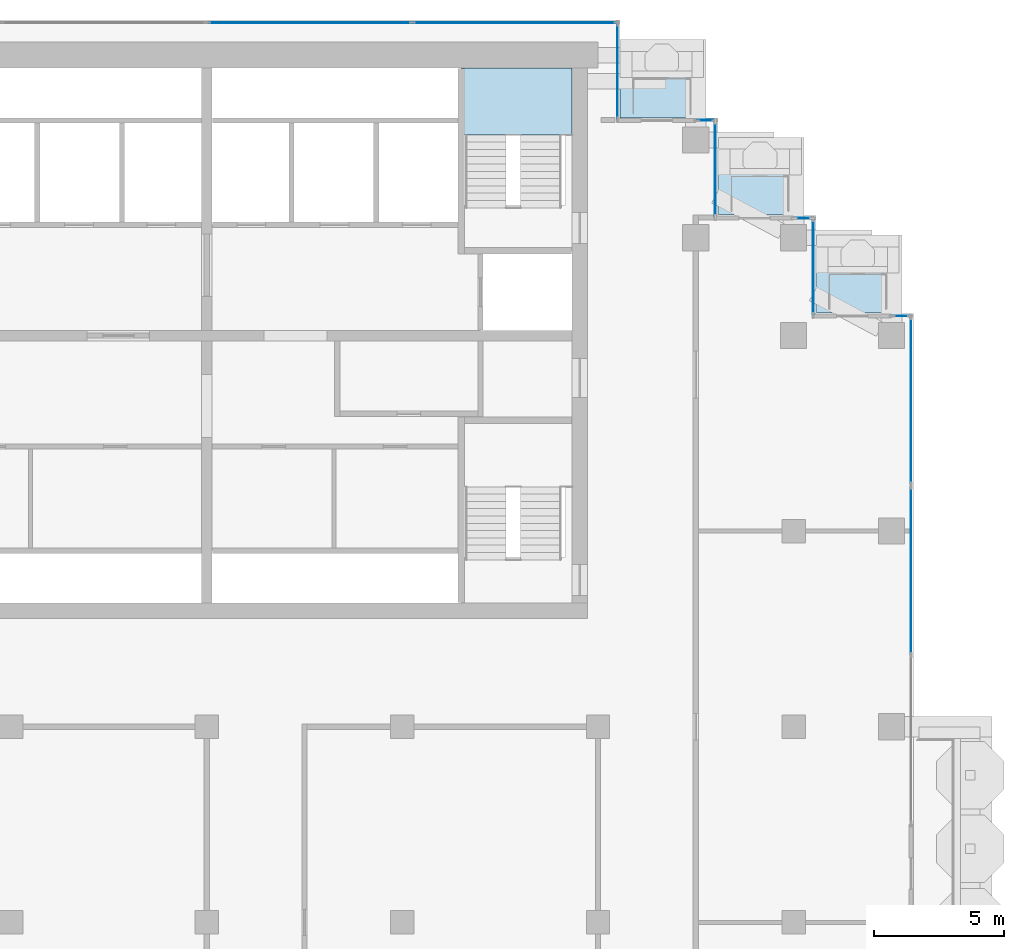
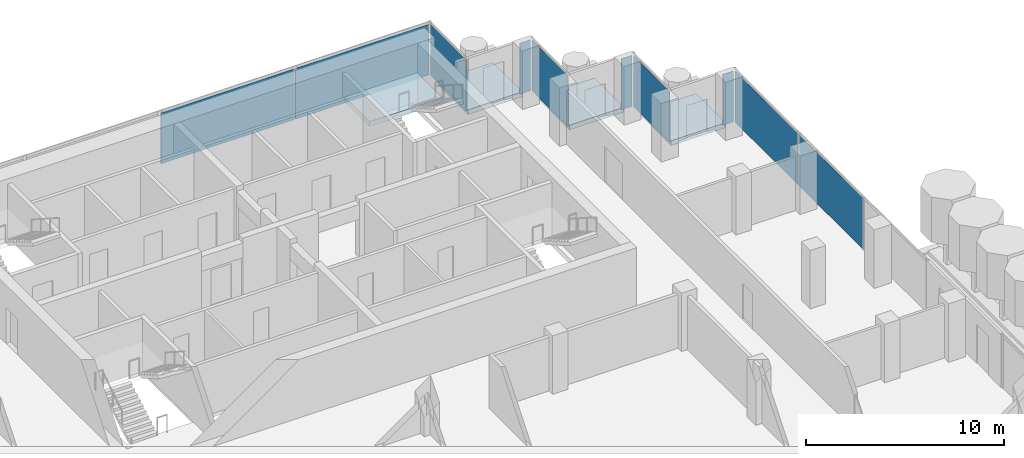
# One storey, part 10 of 17: 10 plates, 4 slabs, 10 elements without a shape of their own.
"""IFC4 building model written with IfcOpenShell, lengths in metres."""

from ifc_helpers import new_model, si_unit, direction, frame, origin, origin_2d, place, context, subcontext, project, spatial, polyline, rectangle, outline, extrude, material, layer, layer_set, type_object, element, aggregate, save


model = new_model("IFC4")

# Units and contexts
model_context = context("Model", 3, precision=1e-05, world=origin(), true_north=direction((0.0, 1.0)))
body_context = subcontext(model_context, "Body", "Model", "MODEL_VIEW")
ifc_project = project(units=[si_unit("LENGTHUNIT", "METRE"), si_unit("AREAUNIT", "SQUARE_METRE"), si_unit("VOLUMEUNIT", "CUBIC_METRE"), si_unit("PLANEANGLEUNIT", "RADIAN"), si_unit("MASSUNIT", "GRAM", prefix="KILO")], contexts=[model_context])

# Site, building, storey
site_placement = place(None, origin())
site = spatial("IfcSite", under=ifc_project, at=site_placement, CompositionType="ELEMENT")
building_placement = place(site_placement, origin())
building = spatial("IfcBuilding", under=site, at=building_placement, Name="Pilkhan Gate Tower", CompositionType="ELEMENT")
storey_placement = place(building_placement, frame((0.0, 0.0, 206.699951171875)))
storey = spatial("IfcBuildingStorey", under=building, at=storey_placement, Name="L53", CompositionType="ELEMENT", Elevation=206.699951171875)

# Slabs
ifc_material_1 = material(Name="Concrete C60/75", Category="concrete")
ifc_layer_1 = layer(ifc_material_1, 0.300048828125)
ifc_layer_set_1 = layer_set([ifc_layer_1], Name="Balcony tray slab TR300")
slab_type_1 = type_object("IfcSlabType", Name="Balcony tray slab TR300", PredefinedType="FLOOR", material=ifc_layer_set_1)
slab_1_placement = place(storey_placement, frame((0.0, 0.0, -0.300048828125)))
element("IfcSlab", 1, at=slab_1_placement, inside=storey, type_object=slab_type_1, Name="Balcony tray L53 N", PredefinedType="FLOOR", context=body_context, shape_type="SweptSolid", body=[
    extrude(outline(polyline([(94.050048828125, 90.85009765625), (94.050048828125, 93.85009765625), (90.85009765625, 93.85009765625), (90.85009765625, 90.85009765625), (94.050048828125, 90.85009765625)])), origin(), (0.0, 0.0, 1.0), 0.300048828125),
])
slab_2_placement = place(storey_placement, frame((0.0, 0.0, -0.300048828125)))
element("IfcSlab", 2, at=slab_2_placement, inside=storey, type_object=slab_type_1, Name="Balcony tray L53 N", PredefinedType="FLOOR", context=body_context, shape_type="SweptSolid", body=[
    extrude(outline(polyline([(97.800048828125, 87.1201171875), (97.800048828125, 90.10009765625), (94.6201171875, 90.10009765625), (94.6201171875, 87.1201171875), (97.800048828125, 87.1201171875)])), origin(), (0.0, 0.0, 1.0), 0.300048828125),
])
slab_3_placement = place(storey_placement, frame((0.0, 0.0, -0.300048828125)))
element("IfcSlab", 3, at=slab_3_placement, inside=storey, type_object=slab_type_1, Name="Balcony tray L53 N", PredefinedType="FLOOR", context=body_context, shape_type="SweptSolid", body=[
    extrude(outline(polyline([(101.550048828125, 83.3701171875), (101.550048828125, 86.35009765625), (98.3701171875, 86.35009765625), (98.3701171875, 83.3701171875), (101.550048828125, 83.3701171875)])), origin(), (0.0, 0.0, 1.0), 0.300048828125),
])

# Curtain wall, plate
ifc_material_2 = material(Name="Pale anodised aluminium, clear low-iron double glazing", Category="aluminium")
curtain_wall_type = type_object("IfcCurtainWallType", Name="Office unitised curtain wall CW-O2", PredefinedType="USERDEFINED", material=ifc_material_2)
curtain_wall_1_placement = place(storey_placement, origin())
curtain_wall_1 = element("IfcCurtainWall", 4, at=curtain_wall_1_placement, inside=storey, type_object=curtain_wall_type, Name="Office unitised curtain wall CW-O2 L53 E", ObjectType="UNITISED CURTAIN WALL", PredefinedType="USERDEFINED")
ifc_material_3 = material(Name="Clear low-iron double glazing", Category="glass")
ifc_layer_2 = layer(ifc_material_3, 0.031982421875)
ifc_layer_set_2 = layer_set([ifc_layer_2], Name="Glass panel CW-O2 32")
plate_type = type_object("IfcPlateType", Name="Glass panel CW-O2 32", PredefinedType="CURTAIN_PANEL", material=ifc_layer_set_2)
plate_1_placement = place(storey_placement, frame((102.0, 73.483642578125, 0.0), z_axis=(0.0, 0.0, 1.0), x_axis=(0.0, 1.0, 0.0)))
plate_1 = element("IfcPlate", 5, at=plate_1_placement, type_object=plate_type, Name="CW-O2 panel 2", PredefinedType="CURTAIN_PANEL", context=body_context, shape_type="SweptSolid", body=[
    extrude(rectangle(XDim=6.402587890625, YDim=0.031982421875, at=origin_2d()), origin(), (0.0, 0.0, 1.0), 3.135009765625),
])
aggregate(curtain_wall_1, [plate_1])

curtain_wall_2_placement = place(storey_placement, origin())
curtain_wall_2 = element("IfcCurtainWall", 6, at=curtain_wall_2_placement, inside=storey, type_object=curtain_wall_type, Name="Office unitised curtain wall CW-O2 L53 E", ObjectType="UNITISED CURTAIN WALL", PredefinedType="USERDEFINED")
plate_2_placement = place(storey_placement, frame((102.0, 80.0, 0.0), z_axis=(0.0, 0.0, 1.0), x_axis=(0.0, 1.0, 0.0)))
plate_2 = element("IfcPlate", 7, at=plate_2_placement, type_object=plate_type, Name="CW-O2 panel 1", PredefinedType="CURTAIN_PANEL", context=body_context, shape_type="SweptSolid", body=[
    extrude(rectangle(XDim=6.3701171875, YDim=0.031982421875, at=origin_2d()), origin(), (0.0, 0.0, 1.0), 3.135009765625),
])
aggregate(curtain_wall_2, [plate_2])

curtain_wall_3_placement = place(storey_placement, origin())
curtain_wall_3 = element("IfcCurtainWall", 8, at=curtain_wall_3_placement, inside=storey, type_object=curtain_wall_type, Name="Office unitised curtain wall CW-O2 L53 N", ObjectType="UNITISED CURTAIN WALL", PredefinedType="USERDEFINED")
plate_3_placement = place(storey_placement, frame((101.625, 83.25, 0.0), z_axis=(0.0, 0.0, 1.0), x_axis=(1.0, 0.0, 0.0)))
plate_3 = element("IfcPlate", 9, at=plate_3_placement, type_object=plate_type, Name="CW-O2 panel 1", PredefinedType="CURTAIN_PANEL", context=body_context, shape_type="SweptSolid", body=[
    extrude(rectangle(XDim=0.6201171875, YDim=0.031982421875, at=origin_2d()), origin(), (0.0, 0.0, 1.0), 3.135009765625),
])
aggregate(curtain_wall_3, [plate_3])

curtain_wall_4_placement = place(storey_placement, origin())
curtain_wall_4 = element("IfcCurtainWall", 10, at=curtain_wall_4_placement, inside=storey, type_object=curtain_wall_type, Name="Office unitised curtain wall CW-O2 L53 E", ObjectType="UNITISED CURTAIN WALL", PredefinedType="USERDEFINED")
plate_4_placement = place(storey_placement, frame((98.25, 85.125, 0.0), z_axis=(0.0, 0.0, 1.0), x_axis=(0.0, 1.0, 0.0)))
plate_4 = element("IfcPlate", 11, at=plate_4_placement, type_object=plate_type, Name="CW-O2 panel 1", PredefinedType="CURTAIN_PANEL", context=body_context, shape_type="SweptSolid", body=[
    extrude(rectangle(XDim=3.6201171875, YDim=0.031982421875, at=origin_2d()), origin(), (0.0, 0.0, 1.0), 3.135009765625),
])
aggregate(curtain_wall_4, [plate_4])

curtain_wall_5_placement = place(storey_placement, origin())
curtain_wall_5 = element("IfcCurtainWall", 12, at=curtain_wall_5_placement, inside=storey, type_object=curtain_wall_type, Name="Office unitised curtain wall CW-O2 L53 N", ObjectType="UNITISED CURTAIN WALL", PredefinedType="USERDEFINED")
plate_5_placement = place(storey_placement, frame((97.875, 87.0, 0.0), z_axis=(0.0, 0.0, 1.0), x_axis=(1.0, 0.0, 0.0)))
plate_5 = element("IfcPlate", 13, at=plate_5_placement, type_object=plate_type, Name="CW-O2 panel 1", PredefinedType="CURTAIN_PANEL", context=body_context, shape_type="SweptSolid", body=[
    extrude(rectangle(XDim=0.6201171875, YDim=0.031982421875, at=origin_2d()), origin(), (0.0, 0.0, 1.0), 3.135009765625),
])
aggregate(curtain_wall_5, [plate_5])

curtain_wall_6_placement = place(storey_placement, origin())
curtain_wall_6 = element("IfcCurtainWall", 14, at=curtain_wall_6_placement, inside=storey, type_object=curtain_wall_type, Name="Office unitised curtain wall CW-O2 L53 E", ObjectType="UNITISED CURTAIN WALL", PredefinedType="USERDEFINED")
plate_6_placement = place(storey_placement, frame((94.5, 88.875, 0.0), z_axis=(0.0, 0.0, 1.0), x_axis=(0.0, 1.0, 0.0)))
plate_6 = element("IfcPlate", 15, at=plate_6_placement, type_object=plate_type, Name="CW-O2 panel 1", PredefinedType="CURTAIN_PANEL", context=body_context, shape_type="SweptSolid", body=[
    extrude(rectangle(XDim=3.6201171875, YDim=0.031982421875, at=origin_2d()), origin(), (0.0, 0.0, 1.0), 3.135009765625),
])
aggregate(curtain_wall_6, [plate_6])

curtain_wall_7_placement = place(storey_placement, origin())
curtain_wall_7 = element("IfcCurtainWall", 16, at=curtain_wall_7_placement, inside=storey, type_object=curtain_wall_type, Name="Office unitised curtain wall CW-O2 L53 N", ObjectType="UNITISED CURTAIN WALL", PredefinedType="USERDEFINED")
plate_7_placement = place(storey_placement, frame((94.125, 90.75, 0.0), z_axis=(0.0, 0.0, 1.0), x_axis=(1.0, 0.0, 0.0)))
plate_7 = element("IfcPlate", 17, at=plate_7_placement, type_object=plate_type, Name="CW-O2 panel 1", PredefinedType="CURTAIN_PANEL", context=body_context, shape_type="SweptSolid", body=[
    extrude(rectangle(XDim=0.6201171875, YDim=0.031982421875, at=origin_2d()), origin(), (0.0, 0.0, 1.0), 3.135009765625),
])
aggregate(curtain_wall_7, [plate_7])

curtain_wall_8_placement = place(storey_placement, origin())
curtain_wall_8 = element("IfcCurtainWall", 18, at=curtain_wall_8_placement, inside=storey, type_object=curtain_wall_type, Name="Office unitised curtain wall CW-O2 L53 E", ObjectType="UNITISED CURTAIN WALL", PredefinedType="USERDEFINED")
plate_8_placement = place(storey_placement, frame((90.75, 92.625, 0.0), z_axis=(0.0, 0.0, 1.0), x_axis=(0.0, 1.0, 0.0)))
plate_8 = element("IfcPlate", 19, at=plate_8_placement, type_object=plate_type, Name="CW-O2 panel 1", PredefinedType="CURTAIN_PANEL", context=body_context, shape_type="SweptSolid", body=[
    extrude(rectangle(XDim=3.6201171875, YDim=0.031982421875, at=origin_2d()), origin(), (0.0, 0.0, 1.0), 3.135009765625),
])
aggregate(curtain_wall_8, [plate_8])

# Curtain wall, plates
curtain_wall_9_placement = place(storey_placement, origin())
curtain_wall_9 = element("IfcCurtainWall", 20, at=curtain_wall_9_placement, inside=storey, type_object=curtain_wall_type, Name="Office unitised curtain wall CW-O2 L53 N", ObjectType="UNITISED CURTAIN WALL", PredefinedType="USERDEFINED")
plate_9_placement = place(storey_placement, frame((78.953857421875, 94.5, 0.0), z_axis=(0.0, 0.0, 1.0), x_axis=(1.0, 0.0, 0.0)))
plate_9 = element("IfcPlate", 21, at=plate_9_placement, type_object=plate_type, Name="CW-O2 panel 1", PredefinedType="CURTAIN_PANEL", context=body_context, shape_type="SweptSolid", body=[
    extrude(rectangle(XDim=7.777587890625, YDim=0.031982421875, at=origin_2d()), origin(), (0.0, 0.0, 1.0), 3.135009765625),
])
plate_10_placement = place(storey_placement, frame((86.796142578125, 94.5, 0.0), z_axis=(0.0, 0.0, 1.0), x_axis=(1.0, 0.0, 0.0)))
plate_10 = element("IfcPlate", 22, at=plate_10_placement, type_object=plate_type, Name="CW-O2 panel 2", PredefinedType="CURTAIN_PANEL", context=body_context, shape_type="SweptSolid", body=[
    extrude(rectangle(XDim=7.777587890625, YDim=0.031982421875, at=origin_2d()), origin(), (0.0, 0.0, 1.0), 3.135009765625),
])
aggregate(curtain_wall_9, [plate_9, plate_10])

# Stair, slab
ifc_material_4 = material(Name="Concrete C40/50 precast", Category="concrete")
stair_type = type_object("IfcStairType", Name="Stair ST4 164x280", PredefinedType="HALF_TURN_STAIR", material=ifc_material_4)
stair_placement = place(storey_placement, origin())
stair = element("IfcStair", 23, at=stair_placement, inside=storey, type_object=stair_type, Name="Stair ST4 L53", PredefinedType="HALF_TURN_STAIR")
ifc_material_5 = material(Name="Concrete C40/50", Category="concrete")
ifc_layer_3 = layer(ifc_material_5, 0.199951171875)
ifc_layer_set_3 = layer_set([ifc_layer_3], Name="Stair landing SL200")
slab_type_2 = type_object("IfcSlabType", Name="Stair landing SL200", PredefinedType="LANDING", material=ifc_layer_set_3)
slab_4_placement = place(storey_placement, frame((0.0, 0.0, 1.5)))
slab_4 = element("IfcSlab", 24, at=slab_4_placement, type_object=slab_type_2, Name="ST4 landing 1", PredefinedType="LANDING", context=body_context, shape_type="SweptSolid", body=[
    extrude(outline(polyline([(89.0, 90.199951171875), (89.0, 92.75), (84.75, 92.75), (84.75, 90.199951171875), (89.0, 90.199951171875)])), origin(), (0.0, 0.0, 1.0), 0.300048828125),
])
aggregate(stair, [slab_4])

save(model, "model.ifc")
